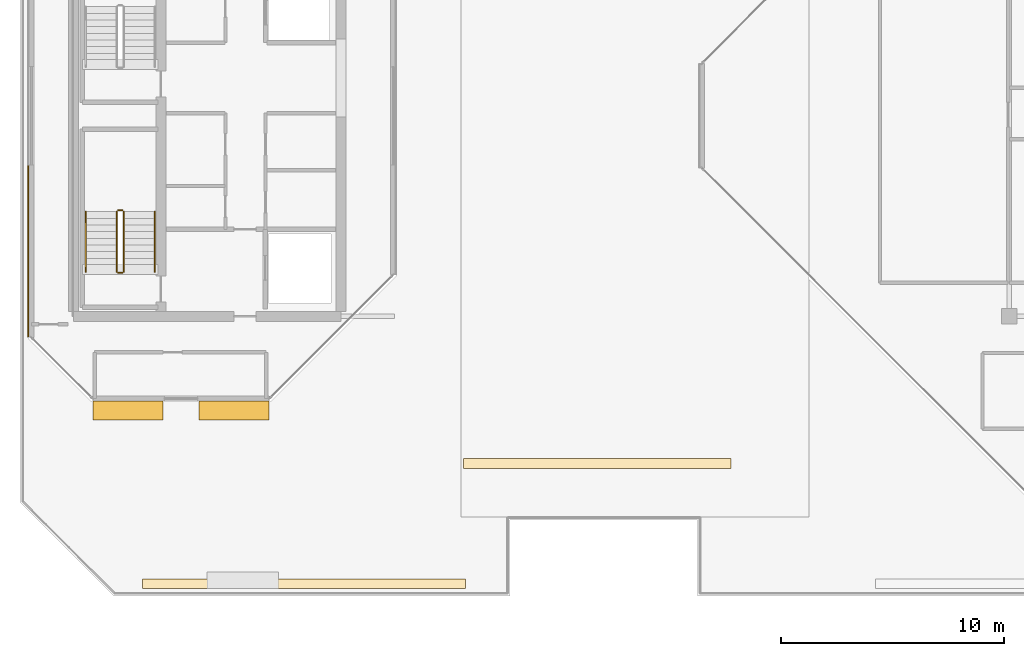
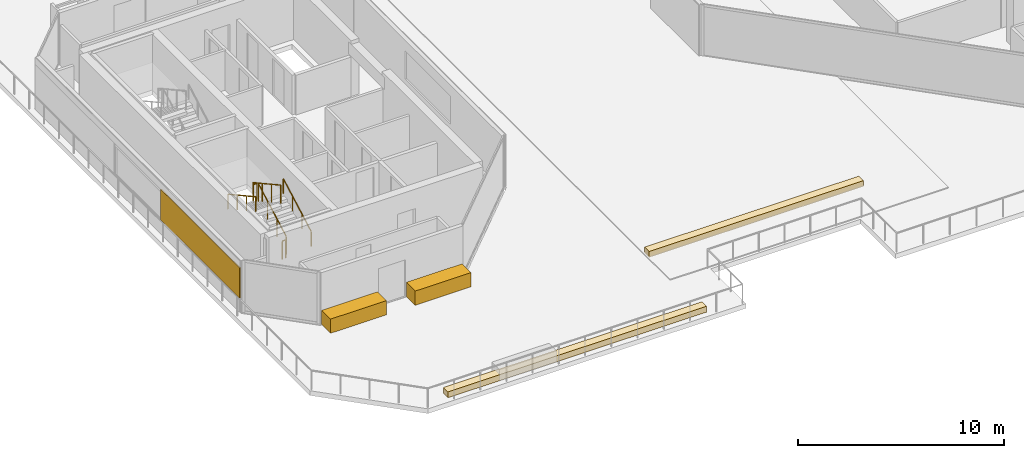
# One storey, part 26 of 30: 6 railings, 5 coverings.
"""IFC4 building model written with IfcOpenShell, lengths in metres."""

from ifc_helpers import new_model, si_unit, direction, frame, origin, origin_2d, place, context, subcontext, project, spatial, polyline, rectangle, outline, extrude, material, layer, layer_set, type_object, element, save


model = new_model("IFC4")

# Units and contexts
model_context = context("Model", 3, precision=1e-05, world=origin(), true_north=direction((0.0, 1.0)))
body_context = subcontext(model_context, "Body", "Model", "MODEL_VIEW")
ifc_project = project(units=[si_unit("LENGTHUNIT", "METRE"), si_unit("AREAUNIT", "SQUARE_METRE"), si_unit("VOLUMEUNIT", "CUBIC_METRE"), si_unit("PLANEANGLEUNIT", "RADIAN"), si_unit("MASSUNIT", "GRAM", prefix="KILO")], contexts=[model_context])

# Site, building, storey
site_placement = place(None, origin())
site = spatial("IfcSite", under=ifc_project, at=site_placement, CompositionType="ELEMENT")
building_placement = place(site_placement, origin())
building = spatial("IfcBuilding", under=site, at=building_placement, Name="Tanjung Sevakor Pilgrim Tower", CompositionType="ELEMENT")
storey_placement = place(building_placement, frame((0.0, 0.0, 229.35009765625)))
storey = spatial("IfcBuildingStorey", under=building, at=storey_placement, Name="L64", CompositionType="ELEMENT", Elevation=229.35009765625)

# Coverings
ifc_material_1 = material(Name="Reconstructed Limestone Cladding", Category="masonry")
ifc_layer_1 = layer(ifc_material_1, 0.044921875)
ifc_layer_set_1 = layer_set([ifc_layer_1], Name="COV-CLAD-LIMESTONE")
covering_type_1 = type_object("IfcCoveringType", Name="COV-CLAD-LIMESTONE", PredefinedType="CLADDING", material=ifc_layer_set_1)
for number, where, z_axis, x_axis, name in (
    (1, (26.4501953125, 20.3701171875, 0.009765625), (0.0, 0.0, 1.0), (1.0, 0.0, 0.0), "L64 Warm Limestone Sill Spandrel EW-L64-WEST-1-1"),
    (2, (31.19970703125, 20.3701171875, 0.009765625), (0.0, 0.0, 1.0), (1.0, 0.0, 0.0), "L64 Warm Limestone Sill Spandrel EW-L64-WEST-1-2"),
):
    element("IfcCovering", number, at=place(storey_placement, frame(where, z_axis=z_axis, x_axis=x_axis)), inside=storey, type_object=covering_type_1, Name=name, PredefinedType="CLADDING", context=body_context, shape_type="SweptSolid", body=[
        extrude(rectangle(XDim=3.12939453125, YDim=0.860107421875, at=origin_2d()), origin(), (0.0, 0.0, 1.0), 0.840087890625),
    ])
covering_1_placement = place(storey_placement, frame((21.9775390625, 27.517822265625, 0.849853515625), z_axis=(0.0, 0.0, 1.0), x_axis=(0.0, -1.0, 0.0)))
element("IfcCovering", 3, at=covering_1_placement, inside=storey, type_object=covering_type_1, Name="L64 Warm Limestone Pier Panel EW-L64-WEST-7-2", PredefinedType="CLADDING", context=body_context, shape_type="SweptSolid", body=[
    extrude(rectangle(XDim=7.664306640625, YDim=0.044921875, at=origin_2d()), origin(), (0.0, 0.0, 1.0), 1.81005859375),
])
ifc_material_2 = material(Name="Vegetated Modular Planter Assembly", Category="organic")
ifc_layer_2 = layer(ifc_material_2, 0.35009765625)
ifc_layer_set_2 = layer_set([ifc_layer_2], Name="COV-GRN-TROUGH")
covering_type_2 = type_object("IfcCoveringType", Name="COV-GRN-TROUGH", PredefinedType="CLADDING", material=ifc_layer_set_2)
covering_2_placement = place(storey_placement, origin())
element("IfcCovering", 4, at=covering_2_placement, inside=storey, type_object=covering_type_2, Name="L64 Planted Landscape Hedge Trough SGRN-L64-SW", PredefinedType="CLADDING", context=body_context, shape_type="SweptSolid", body=[
    extrude(outline(polyline([(27.10009765625, 12.3798828125), (41.60009765625, 12.3798828125), (41.60009765625, 12.820068359375), (27.10009765625, 12.820068359375), (27.10009765625, 12.3798828125)])), origin(), (0.0, 0.0, 1.0), 0.349853515625),
])
covering_3_placement = place(storey_placement, origin())
element("IfcCovering", 5, at=covering_3_placement, inside=storey, type_object=covering_type_2, Name="L64 Planted Landscape Hedge Trough SGRN-L64-CLEFT-S", PredefinedType="CLADDING", context=body_context, shape_type="SweptSolid", body=[
    extrude(outline(polyline([(41.5, 17.780029296875), (53.5, 17.780029296875), (53.5, 18.219970703125), (41.5, 18.219970703125), (41.5, 17.780029296875)])), origin(), (0.0, 0.0, 1.0), 0.349853515625),
])

# Railings
ifc_material_3 = material(Name="Steel S355J2", Category="steel")
railing_type_1 = type_object("IfcRailingType", Name="RL-STAIR-GUARD", PredefinedType="GUARDRAIL", material=ifc_material_3)
railing_1_placement = place(storey_placement, frame((26.25, 26.60009765625, 0.164794921875)))
element("IfcRailing", 6, at=railing_1_placement, inside=storey, type_object=railing_type_1, Name="L64 TS-W1 stair guard 1", PredefinedType="GUARDRAIL", context=body_context, shape_type="SweptSolid", body=[
    extrude(rectangle(XDim=0.0479, YDim=0.0479), frame((0.0, 0.0, 1.076171875), z_axis=(0.0, 0.876197507361, 0.481952205197), x_axis=(-1.0, 0.0, 0.0)), (0.0, 0.0, 1.0), 3.08154296875),
    extrude(rectangle(XDim=0.042, YDim=0.042), origin(), (0.0, 0.0, 1.0), 1.052001953125),
    extrude(rectangle(XDim=0.042, YDim=0.042), frame((0.0, 0.89990234375, 0.4951171875)), (0.0, 0.0, 1.0), 1.052001953125),
    extrude(rectangle(XDim=0.042, YDim=0.042), frame((0.0, 1.800048828125, 0.989990234375)), (0.0, 0.0, 1.0), 1.052001953125),
    extrude(rectangle(XDim=0.042, YDim=0.042), frame((0.0, 2.699951171875, 1.485107421875)), (0.0, 0.0, 1.0), 1.052001953125),
])
railing_2_placement = place(storey_placement, frame((26.199951171875, 29.35009765625, 1.64990234375)))
element("IfcRailing", 7, at=railing_2_placement, inside=storey, type_object=railing_type_1, Name="L64 TS-W1 stair guard 2", PredefinedType="GUARDRAIL", context=body_context, shape_type="SweptSolid", body=[
    extrude(rectangle(XDim=0.0479, YDim=0.0479), frame((0.0, 0.0, 1.076171875), z_axis=(-1.0, 0.0, 0.0), x_axis=(0.0, -1.0, 0.0)), (0.0, 0.0, 1.0), 0.199951171875),
    extrude(rectangle(XDim=0.042, YDim=0.042), origin(), (0.0, 0.0, 1.0), 1.052001953125),
    extrude(rectangle(XDim=0.042, YDim=0.042), frame((-0.199951171875, 0.0, 0.0)), (0.0, 0.0, 1.0), 1.052001953125),
])
railing_3_placement = place(storey_placement, frame((25.949951171875, 29.300048828125, 1.81494140625)))
element("IfcRailing", 8, at=railing_3_placement, inside=storey, type_object=railing_type_1, Name="L64 TS-W1 stair guard 3", PredefinedType="GUARDRAIL", context=body_context, shape_type="SweptSolid", body=[
    extrude(rectangle(XDim=0.0479, YDim=0.0479), frame((0.0, 0.0, 1.076171875), z_axis=(0.0, -0.876230963923, 0.481891375584), x_axis=(1.0, 0.0, 0.0)), (0.0, 0.0, 1.0), 3.081298828125),
    extrude(rectangle(XDim=0.042, YDim=0.042), origin(), (0.0, 0.0, 1.0), 1.052001953125),
    extrude(rectangle(XDim=0.042, YDim=0.042), frame((0.0, -0.89990234375, 0.494873046875)), (0.0, 0.0, 1.0), 1.052001953125),
    extrude(rectangle(XDim=0.042, YDim=0.042), frame((0.0, -1.800048828125, 0.989990234375)), (0.0, 0.0, 1.0), 1.052001953125),
    extrude(rectangle(XDim=0.042, YDim=0.042), frame((0.0, -2.699951171875, 1.48486328125)), (0.0, 0.0, 1.0), 1.052001953125),
])
railing_4_placement = place(storey_placement, frame((26.199951171875, 26.550048828125, 0.0)))
element("IfcRailing", 9, at=railing_4_placement, inside=storey, type_object=railing_type_1, Name="L64 TS-W1 stair guard 4", PredefinedType="GUARDRAIL", context=body_context, shape_type="SweptSolid", body=[
    extrude(rectangle(XDim=0.0479, YDim=0.0479), frame((0.0, 0.0, 1.076171875), z_axis=(-1.0, 0.0, 0.0), x_axis=(0.0, -1.0, 0.0)), (0.0, 0.0, 1.0), 0.199951171875),
    extrude(rectangle(XDim=0.042, YDim=0.042), origin(), (0.0, 0.0, 1.0), 1.052001953125),
    extrude(rectangle(XDim=0.042, YDim=0.042), frame((-0.199951171875, 0.0, 0.0)), (0.0, 0.0, 1.0), 1.052001953125),
])
ifc_material_4 = material(Name="Steel S355J2", Category="steel")
railing_type_2 = type_object("IfcRailingType", Name="RL-STAIR-HAND", PredefinedType="HANDRAIL", material=ifc_material_4)
railing_5_placement = place(storey_placement, frame((27.64990234375, 26.60009765625, 0.164794921875)))
element("IfcRailing", 10, at=railing_5_placement, inside=storey, type_object=railing_type_2, Name="L64 TS-W1 stair handrail 1", PredefinedType="HANDRAIL", context=body_context, shape_type="SweptSolid", body=[
    extrude(rectangle(XDim=0.0479, YDim=0.0479), frame((0.0, 0.0, 0.8759765625), z_axis=(0.0, 0.876197507361, 0.481952205197), x_axis=(-1.0, 0.0, 0.0)), (0.0, 0.0, 1.0), 3.08154296875),
    extrude(rectangle(XDim=0.042, YDim=0.042), origin(), (0.0, 0.0, 1.0), 0.851806640625),
    extrude(rectangle(XDim=0.042, YDim=0.042), frame((0.0, 0.89990234375, 0.4951171875)), (0.0, 0.0, 1.0), 0.851806640625),
    extrude(rectangle(XDim=0.042, YDim=0.042), frame((0.0, 1.800048828125, 0.989990234375)), (0.0, 0.0, 1.0), 0.851806640625),
    extrude(rectangle(XDim=0.042, YDim=0.042), frame((0.0, 2.699951171875, 1.485107421875)), (0.0, 0.0, 1.0), 0.851806640625),
])
railing_6_placement = place(storey_placement, frame((24.550048828125, 29.300048828125, 1.81494140625)))
element("IfcRailing", 11, at=railing_6_placement, inside=storey, type_object=railing_type_2, Name="L64 TS-W1 stair handrail 2", PredefinedType="HANDRAIL", context=body_context, shape_type="SweptSolid", body=[
    extrude(rectangle(XDim=0.0479, YDim=0.0479), frame((0.0, 0.0, 0.8759765625), z_axis=(0.0, -0.876230963923, 0.481891375584), x_axis=(1.0, 0.0, 0.0)), (0.0, 0.0, 1.0), 3.081298828125),
    extrude(rectangle(XDim=0.042, YDim=0.042), origin(), (0.0, 0.0, 1.0), 0.851806640625),
    extrude(rectangle(XDim=0.042, YDim=0.042), frame((0.0, -0.89990234375, 0.494873046875)), (0.0, 0.0, 1.0), 0.851806640625),
    extrude(rectangle(XDim=0.042, YDim=0.042), frame((0.0, -1.800048828125, 0.989990234375)), (0.0, 0.0, 1.0), 0.851806640625),
    extrude(rectangle(XDim=0.042, YDim=0.042), frame((0.0, -2.699951171875, 1.48486328125)), (0.0, 0.0, 1.0), 0.851806640625),
])

save(model, "model.ifc")
